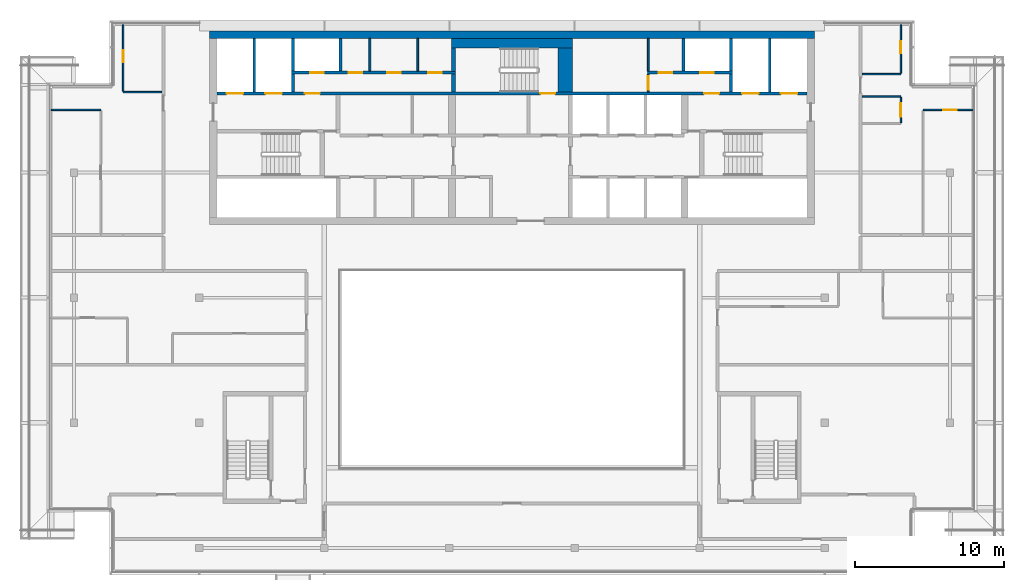
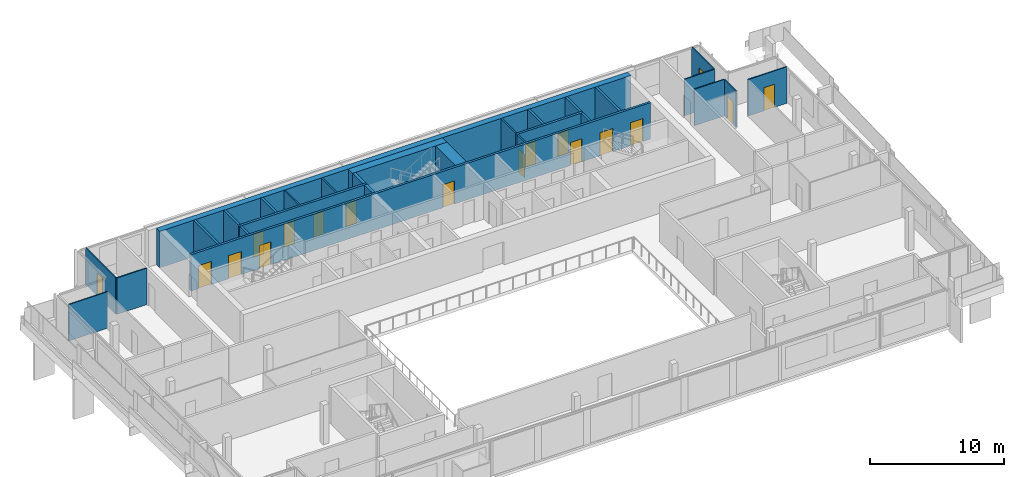
# One storey, part 14 of 19: 28 walls, 18 doors, 18 openings.
"""IFC4 building model written with IfcOpenShell, lengths in metres."""

import ifcopenshell
import ifcopenshell.guid

model = None  # the IFC model being written
_history = None  # IfcOwnerHistory: only IFC2X3 demands one
_inside = {}  # id of a spatial element -> (the spatial element, [elements in it])
_under = {}  # id of a project, library or spatial element -> (it, [spatial elements below it])
_declared = {}  # id of a project -> (the project, [libraries it declares])
_typed = {}  # id of a type object -> (the type object, [elements of that type])
_made_of = {}  # id of a material, layer set ... -> (it, [elements and type objects made of it])


def new_model(schema):
    """Start an empty IFC model of exactly this schema.

    Asked for "IFC4X3", IfcOpenShell would pick the latest addendum, in which some entities
    have other attributes; the version numbers below select the first issue.
    IFC2X3 requires an IfcOwnerHistory on every rooted entity: one is made here for all.
    """
    global model, _history
    if schema == "IFC4X3":
        model = ifcopenshell.file(schema_version=(4, 3, 0, 0))
    else:
        model = ifcopenshell.file(schema=schema)
    _inside.clear()
    _under.clear()
    _declared.clear()
    _typed.clear()
    _made_of.clear()
    _history = None
    if model.schema == "IFC2X3":
        org = make("IfcOrganization", Name="unknown")
        user = make(
            "IfcPersonAndOrganization",
            ThePerson=make("IfcPerson", FamilyName="unknown"),
            TheOrganization=org,
        )
        app = make(
            "IfcApplication",
            ApplicationDeveloper=org,
            Version="unknown",
            ApplicationFullName="unknown",
            ApplicationIdentifier="unknown",
        )
        _history = make(
            "IfcOwnerHistory",
            OwningUser=user,
            OwningApplication=app,
            ChangeAction="ADDED",
            CreationDate=0,
        )
    return model


def make(cls, **values):
    """One entity of the class cls with the attributes given. An attribute that is None is left unset."""
    return model.create_entity(
        cls, **{name: value for name, value in values.items() if value is not None}
    )


def rooted(cls, **values):
    """An entity with a GlobalId (a new one), such as an element, a storey or a relation."""
    return make(cls, GlobalId=ifcopenshell.guid.new(), OwnerHistory=_history, **values)


def si_unit(unit_type, name, prefix=None):
    """IfcSIUnit, for example si_unit("LENGTHUNIT", "METRE", prefix="MILLI")."""
    return make("IfcSIUnit", UnitType=unit_type, Prefix=prefix, Name=name)


def assignment(units):
    """IfcUnitAssignment: the units of a project."""
    return None if units is None else make("IfcUnitAssignment", Units=units)


def point(xyz):
    """IfcCartesianPoint."""
    return None if xyz is None else make("IfcCartesianPoint", Coordinates=xyz)


def direction(xyz):
    """IfcDirection."""
    return None if xyz is None else make("IfcDirection", DirectionRatios=xyz)


def frame(location, z_axis=None, x_axis=None):
    """IfcAxis2Placement3D, a coordinate frame: its origin and axes. An axis left out is left unset."""
    return make(
        "IfcAxis2Placement3D",
        Location=point(location),
        Axis=direction(z_axis),
        RefDirection=direction(x_axis),
    )


def frame_2d(location, x_axis=None):
    """IfcAxis2Placement2D, a coordinate frame in the plane: its origin and x axis."""
    return make(
        "IfcAxis2Placement2D", Location=point(location), RefDirection=direction(x_axis)
    )


def origin():
    """The frame at (0, 0, 0) with its axes left unset."""
    return frame((0.0, 0.0, 0.0))


def place(relative_to, where):
    """IfcLocalPlacement: puts the frame where relative to a parent placement (None: the world)."""
    return make(
        "IfcLocalPlacement", PlacementRelTo=relative_to, RelativePlacement=where
    )


def context(
    kind, dimensions, precision=None, world=None, true_north=None, identifier=None
):
    """IfcGeometricRepresentationContext, for example the 3D "Model" context."""
    return make(
        "IfcGeometricRepresentationContext",
        ContextIdentifier=identifier,
        ContextType=kind,
        CoordinateSpaceDimension=dimensions,
        Precision=precision,
        WorldCoordinateSystem=world,
        TrueNorth=true_north,
    )


def subcontext(parent, identifier, kind, view, scale=None):
    """IfcGeometricRepresentationSubContext, for example "Body" below "Model"."""
    return make(
        "IfcGeometricRepresentationSubContext",
        ContextIdentifier=identifier,
        ContextType=kind,
        ParentContext=parent,
        TargetScale=scale,
        TargetView=view,
    )


def project(units=None, contexts=None):
    """IfcProject with its units and contexts."""
    return rooted(
        "IfcProject",
        Name="project",
        RepresentationContexts=contexts,
        UnitsInContext=assignment(units),
    )


def spatial(cls, under=None, at=None, **own):
    """A site, building, storey or space (cls), placed at a placement, below another one or the project."""
    s = rooted(cls, ObjectPlacement=at, **own)
    if under is not None:
        _under.setdefault(under.id(), (under, []))[1].append(s)
    return s


def profile(cls, at=None, kind="AREA", **sizes):
    """A parametric profile (cls). Its sizes go by their IFC names, for example OverallWidth=200.0."""
    return make(cls, ProfileType=kind, Position=at, **sizes)


def rectangle(**sizes):
    """IfcRectangleProfileDef."""
    return profile("IfcRectangleProfileDef", **sizes)


def extrude(swept, where, along, depth):
    """IfcExtrudedAreaSolid: the profile swept, set in the frame where, extruded along a direction by depth."""
    return make(
        "IfcExtrudedAreaSolid",
        SweptArea=swept,
        Position=where,
        ExtrudedDirection=direction(along),
        Depth=depth,
    )


def shape(context_of_items, identifier, shape_type, items):
    """IfcShapeRepresentation: the items that make up one representation, for example the "Body"."""
    return make(
        "IfcShapeRepresentation",
        ContextOfItems=context_of_items,
        RepresentationIdentifier=identifier,
        RepresentationType=shape_type,
        Items=items,
    )


def material(Name=None, Category=None):
    """IfcMaterial."""
    return make("IfcMaterial", Name=Name, Category=Category)


def layer(
    of_material, thickness, ventilated=None, Name=None, Category=None, Priority=None
):
    """IfcMaterialLayer: one layer of a wall or slab, of a material (None: an air gap)."""
    return make(
        "IfcMaterialLayer",
        Material=of_material,
        LayerThickness=thickness,
        IsVentilated=ventilated,
        Name=Name,
        Category=Category,
        Priority=Priority,
    )


def layer_set(layers, Name=None):
    """IfcMaterialLayerSet."""
    return make("IfcMaterialLayerSet", MaterialLayers=layers, LayerSetName=Name)


def made_of(thing, what):
    """Note that an element or type object is made of a material, layer set ...; save() writes the relation."""
    if what is not None:
        _made_of.setdefault(what.id(), (what, []))[1].append(thing)
    return thing


def type_object(cls, material=None, **own):
    """A type object (cls), such as IfcWallType, which elements share."""
    return made_of(rooted(cls, **own), material)


def element(
    cls,
    number,
    at=None,
    inside=None,
    cuts=None,
    type_object=None,
    material=None,
    context=None,
    identifier="Body",
    shape_type=None,
    held_by="IfcProductDefinitionShape",
    body=None,
    shapes=None,
    **own,
):
    """One element of the class cls, such as IfcWall. Its Tag is "e" and its number.

    at: its placement. inside: the storey or other place that contains it. cuts: it is an
    opening in that element (IfcRelVoidsElement). A single representation is given by context,
    identifier, shape_type and body (its items); several are given by shapes. held_by: the class
    of the entity that holds the representations. save() writes the other relations.
    """
    e = rooted(cls, Tag="e%d" % number, ObjectPlacement=at, **own)
    if body is not None:
        shapes = [shape(context, identifier, shape_type, body)]
    if shapes is not None:
        e.Representation = make(held_by, Representations=shapes)
    if inside is not None:
        _inside.setdefault(inside.id(), (inside, []))[1].append(e)
    if cuts is not None:
        rooted(
            "IfcRelVoidsElement", RelatingBuildingElement=cuts, RelatedOpeningElement=e
        )
    if type_object is not None:
        _typed.setdefault(type_object.id(), (type_object, []))[1].append(e)
    return made_of(e, material)


def fill(opening, filler):
    """IfcRelFillsElement: the door or window that sits in an opening."""
    return rooted(
        "IfcRelFillsElement",
        RelatingOpeningElement=opening,
        RelatedBuildingElement=filler,
    )


def aggregate(whole, parts):
    """IfcRelAggregates: a whole, such as a stair, and the parts it consists of."""
    return rooted("IfcRelAggregates", RelatingObject=whole, RelatedObjects=parts)


def save(model, path):
    """Write the relations noted so far, then the file.

    IfcRelAggregates (storeys below a building ...), IfcRelContainedInSpatialStructure (elements
    in a storey), IfcRelDefinesByType, IfcRelAssociatesMaterial and IfcRelDeclares: one each for
    every whole, place, type object, material and project.
    """
    for whole, parts in _under.values():
        aggregate(whole, parts)
    for where, things in _inside.values():
        rooted(
            "IfcRelContainedInSpatialStructure",
            RelatedElements=things,
            RelatingStructure=where,
        )
    for kind, things in _typed.values():
        rooted("IfcRelDefinesByType", RelatedObjects=things, RelatingType=kind)
    for what, things in _made_of.values():
        rooted("IfcRelAssociatesMaterial", RelatedObjects=things, RelatingMaterial=what)
    for by, libraries in _declared.values():
        rooted("IfcRelDeclares", RelatingContext=by, RelatedDefinitions=libraries)
    model.write(path)


model = new_model("IFC4")

# Units and contexts
model_context = context("Model", 3, precision=1e-05, world=origin(), true_north=direction((0.0, 1.0)))
body_context = subcontext(model_context, "Body", "Model", "MODEL_VIEW")
ifc_project = project(units=[si_unit("LENGTHUNIT", "METRE"), si_unit("AREAUNIT", "SQUARE_METRE"), si_unit("VOLUMEUNIT", "CUBIC_METRE"), si_unit("PLANEANGLEUNIT", "RADIAN"), si_unit("MASSUNIT", "GRAM", prefix="KILO")], contexts=[model_context])

# Site, building, storey
site_placement = place(None, origin())
site = spatial("IfcSite", under=ifc_project, at=site_placement, CompositionType="ELEMENT")
building_placement = place(site_placement, origin())
building = spatial("IfcBuilding", under=site, at=building_placement, Name="Saffron Gate Tower", CompositionType="ELEMENT")
storey_placement = place(building_placement, frame((0.0, 0.0, 292.35009765625)))
storey = spatial("IfcBuildingStorey", under=building, at=storey_placement, Name="L71", CompositionType="ELEMENT", Elevation=292.35009765625)

# Walls
ifc_material_1 = material(Name="Concrete C50", Category="concrete")
ifc_layer_1 = layer(ifc_material_1, 0.5)
ifc_layer_set_1 = layer_set([ifc_layer_1], Name="CW22 RC core wall 500 C50")
wall_type_1 = type_object("IfcWallType", Name="CW22 RC core wall 500 C50", PredefinedType="SOLIDWALL", material=ifc_layer_set_1)
wall_1_placement = place(storey_placement, frame((67.300048828125, 74.64990234375, 0.0), z_axis=(0.0, 0.0, 1.0), x_axis=(1.0, 0.0, 0.0)))
element("IfcWall", 1, at=wall_1_placement, inside=storey, type_object=wall_type_1, Name="Wall CW22-L71-2", PredefinedType="SOLIDWALL", context=body_context, shape_type="SweptSolid", body=[
    extrude(rectangle(XDim=40.599853515625, YDim=0.5, at=frame_2d((20.2998046875, 0.0))), origin(), (0.0, 0.0, 1.0), 3.31982421875),
])
ifc_layer_2 = layer(ifc_material_1, 0.25)
ifc_layer_set_2 = layer_set([ifc_layer_2], Name="CW23 RC core wall 250 C50")
wall_type_2 = type_object("IfcWallType", Name="CW23 RC core wall 250 C50", PredefinedType="SOLIDWALL", material=ifc_layer_set_2)
wall_2_placement = place(storey_placement, frame((83.675048828125, 70.800048828125, 0.0), z_axis=(0.0, 0.0, 1.0), x_axis=(0.0, 1.0, 0.0)))
element("IfcWall", 2, at=wall_2_placement, inside=storey, type_object=wall_type_2, Name="Wall CW23-L71-35", PredefinedType="SOLIDWALL", context=body_context, shape_type="SweptSolid", body=[
    extrude(rectangle(XDim=1.199951171875, YDim=0.25, at=frame_2d((0.60009765625, 0.0))), origin(), (0.0, 0.0, 1.0), 3.31982421875),
])
wall_3_placement = place(storey_placement, frame((83.675048828125, 72.199951171875, 0.0), z_axis=(0.0, 0.0, 1.0), x_axis=(0.0, 1.0, 0.0)))
element("IfcWall", 3, at=wall_3_placement, inside=storey, type_object=wall_type_2, Name="Wall CW23-L71-46", PredefinedType="SOLIDWALL", context=body_context, shape_type="SweptSolid", body=[
    extrude(rectangle(XDim=1.550048828125, YDim=0.25, at=frame_2d((0.77490234375, 0.0))), origin(), (0.0, 0.0, 1.0), 3.31982421875),
])

# Wall, openings, doors
ifc_layer_3 = layer(ifc_material_1, 0.199951171875)
ifc_layer_set_3 = layer_set([ifc_layer_3], Name="CW25 RC core wall 200 C50")
wall_type_3 = type_object("IfcWallType", Name="CW25 RC core wall 200 C50", PredefinedType="SOLIDWALL", material=ifc_layer_set_3)
wall_4_placement = place(storey_placement, frame((67.800048828125, 70.699951171875, 0.0), z_axis=(0.0, 0.0, 1.0), x_axis=(1.0, 0.0, 0.0)))
wall_4 = element("IfcWall", 4, at=wall_4_placement, inside=storey, type_object=wall_type_3, Name="Wall CW25-L71-32", PredefinedType="SOLIDWALL", context=body_context, shape_type="SweptSolid", body=[
    extrude(rectangle(XDim=39.599853515625, YDim=0.199951171875, at=frame_2d((19.7998046875, 0.0))), origin(), (0.0, 0.0, 1.0), 3.31982421875),
])
opening_1_placement = place(wall_4_placement, frame((0.64990234375, 0.0, 0.0)))
opening_1 = element("IfcOpeningElement", 5, at=opening_1_placement, cuts=wall_4, Name="Opening LD-FF1", PredefinedType="OPENING", context=body_context, shape_type="SweptSolid", body=[
    extrude(rectangle(XDim=1.10009765625, YDim=2.10009765625, at=frame_2d((0.550048828125, 1.050048828125))), frame((0.0, 0.10986328125, 0.0), z_axis=(0.0, -1.0, 0.0), x_axis=(1.0, 0.0, 0.0)), (0.0, 0.0, 1.0), 0.219970703125),
])
opening_2_placement = place(wall_4_placement, frame((3.25, 0.0, 0.0)))
opening_2 = element("IfcOpeningElement", 6, at=opening_2_placement, cuts=wall_4, Name="Opening LD-SV1", PredefinedType="OPENING", context=body_context, shape_type="SweptSolid", body=[
    extrude(rectangle(XDim=1.10009765625, YDim=2.10009765625, at=frame_2d((0.550048828125, 1.050048828125))), frame((0.0, 0.10986328125, 0.0), z_axis=(0.0, -1.0, 0.0), x_axis=(1.0, 0.0, 0.0)), (0.0, 0.0, 1.0), 0.219970703125),
])
opening_3_placement = place(wall_4_placement, frame((5.89990234375, 0.0, 0.0)))
opening_3 = element("IfcOpeningElement", 7, at=opening_3_placement, cuts=wall_4, Name="Opening CR-03", PredefinedType="OPENING", context=body_context, shape_type="SweptSolid", body=[
    extrude(rectangle(XDim=1.0, YDim=2.10009765625, at=frame_2d((0.5, 1.050048828125))), frame((0.0, 0.10986328125, 0.0), z_axis=(0.0, -1.0, 0.0), x_axis=(1.0, 0.0, 0.0)), (0.0, 0.0, 1.0), 0.219970703125),
])
opening_4_placement = place(wall_4_placement, frame((21.699951171875, 0.0, 0.0)))
opening_4 = element("IfcOpeningElement", 8, at=opening_4_placement, cuts=wall_4, Name="Opening CR-17", PredefinedType="OPENING", context=body_context, shape_type="SweptSolid", body=[
    extrude(rectangle(XDim=1.0, YDim=2.10009765625, at=frame_2d((0.5, 1.050048828125))), frame((0.0, 0.10986328125, 0.0), z_axis=(0.0, -1.0, 0.0), x_axis=(1.0, 0.0, 0.0)), (0.0, 0.0, 1.0), 0.219970703125),
])
opening_5_placement = place(wall_4_placement, frame((32.699951171875, 0.0, 0.0)))
opening_5 = element("IfcOpeningElement", 9, at=opening_5_placement, cuts=wall_4, Name="Opening CR-04", PredefinedType="OPENING", context=body_context, shape_type="SweptSolid", body=[
    extrude(rectangle(XDim=1.0, YDim=2.10009765625, at=frame_2d((0.5, 1.050048828125))), frame((0.0, 0.10986328125, 0.0), z_axis=(0.0, -1.0, 0.0), x_axis=(1.0, 0.0, 0.0)), (0.0, 0.0, 1.0), 0.219970703125),
])
opening_6_placement = place(wall_4_placement, frame((35.25, 0.0, 0.0)))
opening_6 = element("IfcOpeningElement", 10, at=opening_6_placement, cuts=wall_4, Name="Opening LD-SV2", PredefinedType="OPENING", context=body_context, shape_type="SweptSolid", body=[
    extrude(rectangle(XDim=1.10009765625, YDim=2.10009765625, at=frame_2d((0.550048828125, 1.050048828125))), frame((0.0, 0.10986328125, 0.0), z_axis=(0.0, -1.0, 0.0), x_axis=(1.0, 0.0, 0.0)), (0.0, 0.0, 1.0), 0.219970703125),
])
opening_7_placement = place(wall_4_placement, frame((37.85009765625, 0.0, 0.0)))
opening_7 = element("IfcOpeningElement", 11, at=opening_7_placement, cuts=wall_4, Name="Opening LD-FF2", PredefinedType="OPENING", context=body_context, shape_type="SweptSolid", body=[
    extrude(rectangle(XDim=1.10009765625, YDim=2.10009765625, at=frame_2d((0.550048828125, 1.050048828125))), frame((0.0, 0.10986328125, 0.0), z_axis=(0.0, -1.0, 0.0), x_axis=(1.0, 0.0, 0.0)), (0.0, 0.0, 1.0), 0.219970703125),
])
ifc_material_2 = material(Name="Steel fire door set", Category="steel")
door_type_1 = type_object("IfcDoorType", Name="CD4 Lobby door 1000x2100 EI 120", OperationType="NOTDEFINED", PredefinedType="DOOR", material=ifc_material_2)
door_1_placement = place(opening_3_placement, origin())
door_1 = element("IfcDoor", 12, at=door_1_placement, inside=storey, type_object=door_type_1, Name="DOOR CR-03", OperationType="SINGLE_SWING_LEFT", OverallHeight=2.10009765625, OverallWidth=1.0, PredefinedType="DOOR", context=body_context, shape_type="SweptSolid", body=[
    extrude(rectangle(XDim=1.0, YDim=2.10009765625, at=frame_2d((0.5, 1.050048828125))), frame((0.0, 0.02490234375, 0.0), z_axis=(0.0, -1.0, 0.0), x_axis=(1.0, 0.0, 0.0)), (0.0, 0.0, 1.0), 0.050048828125),
])
fill(opening_3, door_1)
door_2_placement = place(opening_5_placement, origin())
door_2 = element("IfcDoor", 13, at=door_2_placement, inside=storey, type_object=door_type_1, Name="DOOR CR-04", OperationType="SINGLE_SWING_RIGHT", OverallHeight=2.10009765625, OverallWidth=1.0, PredefinedType="DOOR", context=body_context, shape_type="SweptSolid", body=[
    extrude(rectangle(XDim=1.0, YDim=2.10009765625, at=frame_2d((0.5, 1.050048828125))), frame((0.0, 0.02490234375, 0.0), z_axis=(0.0, -1.0, 0.0), x_axis=(1.0, 0.0, 0.0)), (0.0, 0.0, 1.0), 0.050048828125),
])
fill(opening_5, door_2)
door_type_2 = type_object("IfcDoorType", Name="CD5 Stair door 1000x2100 EI 120", OperationType="NOTDEFINED", PredefinedType="DOOR", material=ifc_material_2)
door_3_placement = place(opening_4_placement, origin())
door_3 = element("IfcDoor", 14, at=door_3_placement, inside=storey, type_object=door_type_2, Name="DOOR CR-17", OperationType="SINGLE_SWING_RIGHT", OverallHeight=2.10009765625, OverallWidth=1.0, PredefinedType="DOOR", context=body_context, shape_type="SweptSolid", body=[
    extrude(rectangle(XDim=1.0, YDim=2.10009765625, at=frame_2d((0.5, 1.050048828125))), frame((0.0, 0.02490234375, 0.0), z_axis=(0.0, -1.0, 0.0), x_axis=(1.0, 0.0, 0.0)), (0.0, 0.0, 1.0), 0.050048828125),
])
fill(opening_4, door_3)
ifc_material_3 = material(Name="Stainless steel landing door", Category="steel")
door_type_3 = type_object("IfcDoorType", Name="LD Lift landing door 1100x2100 EI 120", OperationType="SLIDING_TO_LEFT", PredefinedType="DOOR", material=ifc_material_3)
door_4_placement = place(opening_1_placement, origin())
door_4 = element("IfcDoor", 15, at=door_4_placement, inside=storey, type_object=door_type_3, Name="LANDING DOOR LD-FF1", OperationType="SLIDING_TO_RIGHT", OverallHeight=2.10009765625, OverallWidth=1.10009765625, PredefinedType="DOOR", context=body_context, shape_type="SweptSolid", body=[
    extrude(rectangle(XDim=1.10009765625, YDim=2.10009765625, at=frame_2d((0.550048828125, 1.050048828125))), frame((0.0, 0.02490234375, 0.0), z_axis=(0.0, -1.0, 0.0), x_axis=(1.0, 0.0, 0.0)), (0.0, 0.0, 1.0), 0.050048828125),
])
fill(opening_1, door_4)
door_5_placement = place(opening_2_placement, origin())
door_5 = element("IfcDoor", 16, at=door_5_placement, inside=storey, type_object=door_type_3, Name="LANDING DOOR LD-SV1", OperationType="SLIDING_TO_RIGHT", OverallHeight=2.10009765625, OverallWidth=1.10009765625, PredefinedType="DOOR", context=body_context, shape_type="SweptSolid", body=[
    extrude(rectangle(XDim=1.10009765625, YDim=2.10009765625, at=frame_2d((0.550048828125, 1.050048828125))), frame((0.0, 0.02490234375, 0.0), z_axis=(0.0, -1.0, 0.0), x_axis=(1.0, 0.0, 0.0)), (0.0, 0.0, 1.0), 0.050048828125),
])
fill(opening_2, door_5)
door_6_placement = place(opening_6_placement, origin())
door_6 = element("IfcDoor", 17, at=door_6_placement, inside=storey, type_object=door_type_3, Name="LANDING DOOR LD-SV2", OperationType="SLIDING_TO_RIGHT", OverallHeight=2.10009765625, OverallWidth=1.10009765625, PredefinedType="DOOR", context=body_context, shape_type="SweptSolid", body=[
    extrude(rectangle(XDim=1.10009765625, YDim=2.10009765625, at=frame_2d((0.550048828125, 1.050048828125))), frame((0.0, 0.02490234375, 0.0), z_axis=(0.0, -1.0, 0.0), x_axis=(1.0, 0.0, 0.0)), (0.0, 0.0, 1.0), 0.050048828125),
])
fill(opening_6, door_6)
door_7_placement = place(opening_7_placement, origin())
door_7 = element("IfcDoor", 18, at=door_7_placement, inside=storey, type_object=door_type_3, Name="LANDING DOOR LD-FF2", OperationType="SLIDING_TO_RIGHT", OverallHeight=2.10009765625, OverallWidth=1.10009765625, PredefinedType="DOOR", context=body_context, shape_type="SweptSolid", body=[
    extrude(rectangle(XDim=1.10009765625, YDim=2.10009765625, at=frame_2d((0.550048828125, 1.050048828125))), frame((0.0, 0.02490234375, 0.0), z_axis=(0.0, -1.0, 0.0), x_axis=(1.0, 0.0, 0.0)), (0.0, 0.0, 1.0), 0.050048828125),
])
fill(opening_7, door_7)

# Walls
wall_5_placement = place(storey_placement, frame((70.300048828125, 70.800048828125, 0.0), z_axis=(0.0, 0.0, 1.0), x_axis=(0.0, 1.0, 0.0)))
element("IfcWall", 19, at=wall_5_placement, inside=storey, type_object=wall_type_3, Name="Wall CW25-L71-33", PredefinedType="SOLIDWALL", context=body_context, shape_type="SweptSolid", body=[
    extrude(rectangle(XDim=3.599853515625, YDim=0.199951171875, at=frame_2d((1.7998046875, 0.0))), origin(), (0.0, 0.0, 1.0), 3.31982421875),
])
for number, where, z_axis, x_axis, name in (
    (20, (72.89990234375, 70.800048828125, 0.0), (0.0, 0.0, 1.0), (0.0, 1.0, 0.0), "Wall CW25-L71-34"),
    (21, (102.300048828125, 70.800048828125, 0.0), (0.0, 0.0, 1.0), (0.0, 1.0, 0.0), "Wall CW25-L71-38"),
):
    element("IfcWall", number, at=place(storey_placement, frame(where, z_axis=z_axis, x_axis=x_axis)), inside=storey, type_object=wall_type_3, Name=name, PredefinedType="SOLIDWALL", context=body_context, shape_type="SweptSolid", body=[
        extrude(rectangle(XDim=1.199951171875, YDim=0.199951171875, at=frame_2d((0.60009765625, 0.0))), origin(), (0.0, 0.0, 1.0), 3.31982421875),
    ])
wall_6_placement = place(storey_placement, frame((104.89990234375, 70.800048828125, 0.0), z_axis=(0.0, 0.0, 1.0), x_axis=(0.0, 1.0, 0.0)))
element("IfcWall", 22, at=wall_6_placement, inside=storey, type_object=wall_type_3, Name="Wall CW25-L71-39", PredefinedType="SOLIDWALL", context=body_context, shape_type="SweptSolid", body=[
    extrude(rectangle(XDim=3.599853515625, YDim=0.199951171875, at=frame_2d((1.7998046875, 0.0))), origin(), (0.0, 0.0, 1.0), 3.31982421875),
])

# Wall, openings, doors
wall_7_placement = place(storey_placement, frame((72.800048828125, 72.10009765625, 0.0), z_axis=(0.0, 0.0, 1.0), x_axis=(1.0, 0.0, 0.0)))
wall_7 = element("IfcWall", 23, at=wall_7_placement, inside=storey, type_object=wall_type_3, Name="Wall CW25-L71-40", PredefinedType="SOLIDWALL", context=body_context, shape_type="SweptSolid", body=[
    extrude(rectangle(XDim=11.0, YDim=0.199951171875, at=frame_2d((5.5, 0.0))), origin(), (0.0, 0.0, 1.0), 3.31982421875),
])
opening_8_placement = place(wall_7_placement, frame((1.25, 0.0, 0.0)))
opening_8 = element("IfcOpeningElement", 24, at=opening_8_placement, cuts=wall_7, Name="Opening CR-71", PredefinedType="OPENING", context=body_context, shape_type="SweptSolid", body=[
    extrude(rectangle(XDim=0.89990234375, YDim=2.10009765625, at=frame_2d((0.449951171875, 1.050048828125))), frame((0.0, 0.10986328125, 0.0), z_axis=(0.0, -1.0, 0.0), x_axis=(1.0, 0.0, 0.0)), (0.0, 0.0, 1.0), 0.219970703125),
])
opening_9_placement = place(wall_7_placement, frame((3.85009765625, 0.0, 0.0)))
opening_9 = element("IfcOpeningElement", 25, at=opening_9_placement, cuts=wall_7, Name="Opening CR-55", PredefinedType="OPENING", context=body_context, shape_type="SweptSolid", body=[
    extrude(rectangle(XDim=0.89990234375, YDim=2.10009765625, at=frame_2d((0.449951171875, 1.050048828125))), frame((0.0, 0.10986328125, 0.0), z_axis=(0.0, -1.0, 0.0), x_axis=(1.0, 0.0, 0.0)), (0.0, 0.0, 1.0), 0.219970703125),
])
opening_10_placement = place(wall_7_placement, frame((6.419921875, 0.0, 0.0)))
opening_10 = element("IfcOpeningElement", 26, at=opening_10_placement, cuts=wall_7, Name="Opening CR-58", PredefinedType="OPENING", context=body_context, shape_type="SweptSolid", body=[
    extrude(rectangle(XDim=0.89990234375, YDim=2.10009765625, at=frame_2d((0.449951171875, 1.050048828125))), frame((0.0, 0.10986328125, 0.0), z_axis=(0.0, -1.0, 0.0), x_axis=(1.0, 0.0, 0.0)), (0.0, 0.0, 1.0), 0.219970703125),
])
opening_11_placement = place(wall_7_placement, frame((9.195068359375, 0.0, 0.0)))
opening_11 = element("IfcOpeningElement", 27, at=opening_11_placement, cuts=wall_7, Name="Opening CR-59", PredefinedType="OPENING", context=body_context, shape_type="SweptSolid", body=[
    extrude(rectangle(XDim=0.89990234375, YDim=2.10009765625, at=frame_2d((0.449951171875, 1.050048828125))), frame((0.0, 0.10986328125, 0.0), z_axis=(0.0, -1.0, 0.0), x_axis=(1.0, 0.0, 0.0)), (0.0, 0.0, 1.0), 0.219970703125),
])
door_type_4 = type_object("IfcDoorType", Name="CD2 Riser door 900x2100 EI 60", OperationType="NOTDEFINED", PredefinedType="DOOR", material=ifc_material_2)
door_8_placement = place(opening_8_placement, origin())
door_8 = element("IfcDoor", 28, at=door_8_placement, inside=storey, type_object=door_type_4, Name="DOOR CR-71", OperationType="SINGLE_SWING_LEFT", OverallHeight=2.10009765625, OverallWidth=0.89990234375, PredefinedType="DOOR", context=body_context, shape_type="SweptSolid", body=[
    extrude(rectangle(XDim=0.89990234375, YDim=2.10009765625, at=frame_2d((0.449951171875, 1.050048828125))), frame((0.0, 0.02490234375, 0.0), z_axis=(0.0, -1.0, 0.0), x_axis=(1.0, 0.0, 0.0)), (0.0, 0.0, 1.0), 0.050048828125),
])
fill(opening_8, door_8)
door_type_5 = type_object("IfcDoorType", Name="CD9 Room door 900x2100 EI 60", OperationType="NOTDEFINED", PredefinedType="DOOR", material=ifc_material_2)
door_9_placement = place(opening_9_placement, origin())
door_9 = element("IfcDoor", 29, at=door_9_placement, inside=storey, type_object=door_type_5, Name="DOOR CR-55", OperationType="SINGLE_SWING_LEFT", OverallHeight=2.10009765625, OverallWidth=0.89990234375, PredefinedType="DOOR", context=body_context, shape_type="SweptSolid", body=[
    extrude(rectangle(XDim=0.89990234375, YDim=2.10009765625, at=frame_2d((0.449951171875, 1.050048828125))), frame((0.0, 0.02490234375, 0.0), z_axis=(0.0, -1.0, 0.0), x_axis=(1.0, 0.0, 0.0)), (0.0, 0.0, 1.0), 0.050048828125),
])
fill(opening_9, door_9)
door_10_placement = place(opening_10_placement, origin())
door_10 = element("IfcDoor", 30, at=door_10_placement, inside=storey, type_object=door_type_5, Name="DOOR CR-58", OperationType="SINGLE_SWING_LEFT", OverallHeight=2.10009765625, OverallWidth=0.89990234375, PredefinedType="DOOR", context=body_context, shape_type="SweptSolid", body=[
    extrude(rectangle(XDim=0.89990234375, YDim=2.10009765625, at=frame_2d((0.449951171875, 1.050048828125))), frame((0.0, 0.02490234375, 0.0), z_axis=(0.0, -1.0, 0.0), x_axis=(1.0, 0.0, 0.0)), (0.0, 0.0, 1.0), 0.050048828125),
])
fill(opening_10, door_10)
door_11_placement = place(opening_11_placement, origin())
door_11 = element("IfcDoor", 31, at=door_11_placement, inside=storey, type_object=door_type_5, Name="DOOR CR-59", OperationType="SINGLE_SWING_LEFT", OverallHeight=2.10009765625, OverallWidth=0.89990234375, PredefinedType="DOOR", context=body_context, shape_type="SweptSolid", body=[
    extrude(rectangle(XDim=0.89990234375, YDim=2.10009765625, at=frame_2d((0.449951171875, 1.050048828125))), frame((0.0, 0.02490234375, 0.0), z_axis=(0.0, -1.0, 0.0), x_axis=(1.0, 0.0, 0.0)), (0.0, 0.0, 1.0), 0.050048828125),
])
fill(opening_11, door_11)

wall_8_placement = place(storey_placement, frame((96.679931640625, 72.10009765625, 0.0), z_axis=(0.0, 0.0, 1.0), x_axis=(1.0, 0.0, 0.0)))
wall_8 = element("IfcWall", 32, at=wall_8_placement, inside=storey, type_object=wall_type_3, Name="Wall CW25-L71-41", PredefinedType="SOLIDWALL", context=body_context, shape_type="SweptSolid", body=[
    extrude(rectangle(XDim=5.719970703125, YDim=0.199951171875, at=frame_2d((2.85986328125, 0.0))), origin(), (0.0, 0.0, 1.0), 3.31982421875),
])
opening_12_placement = place(wall_8_placement, frame((0.77001953125, 0.0, 0.0)))
opening_12 = element("IfcOpeningElement", 33, at=opening_12_placement, cuts=wall_8, Name="Opening CR-50", PredefinedType="OPENING", context=body_context, shape_type="SweptSolid", body=[
    extrude(rectangle(XDim=0.89990234375, YDim=2.10009765625, at=frame_2d((0.449951171875, 1.050048828125))), frame((0.0, 0.10986328125, 0.0), z_axis=(0.0, -1.0, 0.0), x_axis=(1.0, 0.0, 0.0)), (0.0, 0.0, 1.0), 0.219970703125),
])
opening_13_placement = place(wall_8_placement, frame((3.570068359375, 0.0, 0.0)))
opening_13 = element("IfcOpeningElement", 34, at=opening_13_placement, cuts=wall_8, Name="Opening CR-70", PredefinedType="OPENING", context=body_context, shape_type="SweptSolid", body=[
    extrude(rectangle(XDim=0.89990234375, YDim=2.10009765625, at=frame_2d((0.449951171875, 1.050048828125))), frame((0.0, 0.10986328125, 0.0), z_axis=(0.0, -1.0, 0.0), x_axis=(1.0, 0.0, 0.0)), (0.0, 0.0, 1.0), 0.219970703125),
])
door_12_placement = place(opening_13_placement, origin())
door_12 = element("IfcDoor", 35, at=door_12_placement, inside=storey, type_object=door_type_4, Name="DOOR CR-70", OperationType="SINGLE_SWING_LEFT", OverallHeight=2.10009765625, OverallWidth=0.89990234375, PredefinedType="DOOR", context=body_context, shape_type="SweptSolid", body=[
    extrude(rectangle(XDim=0.89990234375, YDim=2.10009765625, at=frame_2d((0.449951171875, 1.050048828125))), frame((0.0, 0.02490234375, 0.0), z_axis=(0.0, -1.0, 0.0), x_axis=(1.0, 0.0, 0.0)), (0.0, 0.0, 1.0), 0.050048828125),
])
fill(opening_13, door_12)
door_13_placement = place(opening_12_placement, origin())
door_13 = element("IfcDoor", 36, at=door_13_placement, inside=storey, type_object=door_type_5, Name="DOOR CR-50", OperationType="SINGLE_SWING_LEFT", OverallHeight=2.10009765625, OverallWidth=0.89990234375, PredefinedType="DOOR", context=body_context, shape_type="SweptSolid", body=[
    extrude(rectangle(XDim=0.89990234375, YDim=2.10009765625, at=frame_2d((0.449951171875, 1.050048828125))), frame((0.0, 0.02490234375, 0.0), z_axis=(0.0, -1.0, 0.0), x_axis=(1.0, 0.0, 0.0)), (0.0, 0.0, 1.0), 0.050048828125),
])
fill(opening_12, door_13)

# Walls
for number, where, z_axis, x_axis, name in (
    (37, (72.89990234375, 72.199951171875, 0.0), (0.0, 0.0, 1.0), (0.0, 1.0, 0.0), "Wall CW25-L71-42"),
    (38, (76.10009765625, 72.199951171875, 0.0), (0.0, 0.0, 1.0), (0.0, 1.0, 0.0), "Wall CW25-L71-43"),
    (39, (99.10009765625, 72.199951171875, 0.0), (0.0, 0.0, 1.0), (0.0, 1.0, 0.0), "Wall CW25-L71-48"),
    (40, (102.300048828125, 72.199951171875, 0.0), (0.0, 0.0, 1.0), (0.0, 1.0, 0.0), "Wall CW25-L71-49"),
):
    element("IfcWall", number, at=place(storey_placement, frame(where, z_axis=z_axis, x_axis=x_axis)), inside=storey, type_object=wall_type_3, Name=name, PredefinedType="SOLIDWALL", context=body_context, shape_type="SweptSolid", body=[
        extrude(rectangle(XDim=2.199951171875, YDim=0.199951171875, at=frame_2d((1.10009765625, 0.0))), origin(), (0.0, 0.0, 1.0), 3.31982421875),
    ])
ifc_layer_4 = layer(ifc_material_1, 0.949951171875)
ifc_layer_set_4 = layer_set([ifc_layer_4], Name="CW28 RC core wall 950 C50")
wall_type_4 = type_object("IfcWallType", Name="CW28 RC core wall 950 C50", PredefinedType="SOLIDWALL", material=ifc_layer_set_4)
wall_9_placement = place(storey_placement, frame((91.175048828125, 70.800048828125, 0.0), z_axis=(0.0, 0.0, 1.0), x_axis=(0.0, 1.0, 0.0)))
element("IfcWall", 41, at=wall_9_placement, inside=storey, type_object=wall_type_4, Name="Wall CW28-L71-36", PredefinedType="SOLIDWALL", context=body_context, shape_type="SweptSolid", body=[
    extrude(rectangle(XDim=2.949951171875, YDim=0.949951171875, at=frame_2d((1.47509765625, 0.0))), origin(), (0.0, 0.0, 1.0), 3.31982421875),
])
ifc_layer_5 = layer(ifc_material_1, 0.64990234375)
ifc_layer_set_5 = layer_set([ifc_layer_5], Name="CW29 RC core wall 650 C50")
wall_type_5 = type_object("IfcWallType", Name="CW29 RC core wall 650 C50", PredefinedType="SOLIDWALL", material=ifc_layer_set_5)
wall_10_placement = place(storey_placement, frame((83.550048828125, 74.074951171875, 0.0), z_axis=(0.0, 0.0, 1.0), x_axis=(1.0, 0.0, 0.0)))
element("IfcWall", 42, at=wall_10_placement, inside=storey, type_object=wall_type_5, Name="Wall CW29-L71-50", PredefinedType="SOLIDWALL", context=body_context, shape_type="SweptSolid", body=[
    extrude(rectangle(XDim=8.099853515625, YDim=0.64990234375, at=frame_2d((4.0498046875, 0.0))), origin(), (0.0, 0.0, 1.0), 3.31982421875),
])

# Wall, opening, door
ifc_material_4 = material(Name="Gypsum board partition on steel studs", Category="steel")
ifc_layer_6 = layer(ifc_material_4, 0.1201171875)
ifc_layer_set_6 = layer_set([ifc_layer_6], Name="CW8 Core partition 120")
wall_type_6 = type_object("IfcWallType", Name="CW8 Core partition 120", PredefinedType="PARTITIONING", material=ifc_layer_set_6)
wall_11_placement = place(storey_placement, frame((96.739990234375, 70.800048828125, 0.0), z_axis=(0.0, 0.0, 1.0), x_axis=(0.0, 1.0, 0.0)))
wall_11 = element("IfcWall", 43, at=wall_11_placement, inside=storey, type_object=wall_type_6, Name="Wall CW8-L71-37", PredefinedType="PARTITIONING", context=body_context, shape_type="SweptSolid", body=[
    extrude(rectangle(XDim=1.199951171875, YDim=0.1201171875, at=frame_2d((0.60009765625, 0.0))), origin(), (0.0, 0.0, 1.0), 3.31982421875),
])
opening_14_placement = place(wall_11_placement, frame((0.14990234375, 0.0, 0.0)))
opening_14 = element("IfcOpeningElement", 44, at=opening_14_placement, cuts=wall_11, Name="Opening CR-54", PredefinedType="OPENING", context=body_context, shape_type="SweptSolid", body=[
    extrude(rectangle(XDim=0.89990234375, YDim=2.10009765625, at=frame_2d((0.449951171875, 1.050048828125))), frame((0.0, 0.070068359375, 0.0), z_axis=(0.0, -1.0, 0.0), x_axis=(1.0, 0.0, 0.0)), (0.0, 0.0, 1.0), 0.14013671875),
])
door_14_placement = place(opening_14_placement, origin())
door_14 = element("IfcDoor", 45, at=door_14_placement, inside=storey, type_object=door_type_5, Name="DOOR CR-54", OperationType="SINGLE_SWING_LEFT", OverallHeight=2.10009765625, OverallWidth=0.89990234375, PredefinedType="DOOR", context=body_context, shape_type="SweptSolid", body=[
    extrude(rectangle(XDim=0.89990234375, YDim=2.10009765625, at=frame_2d((0.449951171875, 1.050048828125))), frame((0.0, 0.02490234375, 0.0), z_axis=(0.0, -1.0, 0.0), x_axis=(1.0, 0.0, 0.0)), (0.0, 0.0, 1.0), 0.050048828125),
])
fill(opening_14, door_14)

# Walls
for number, where, z_axis, x_axis, name in (
    (46, (78.06005859375, 72.199951171875, 0.0), (0.0, 0.0, 1.0), (0.0, 1.0, 0.0), "Wall CW8-L71-44"),
    (47, (81.280029296875, 72.199951171875, 0.0), (0.0, 0.0, 1.0), (0.0, 1.0, 0.0), "Wall CW8-L71-45"),
    (48, (96.739990234375, 72.199951171875, 0.0), (0.0, 0.0, 1.0), (0.0, 1.0, 0.0), "Wall CW8-L71-47"),
):
    element("IfcWall", number, at=place(storey_placement, frame(where, z_axis=z_axis, x_axis=x_axis)), inside=storey, type_object=wall_type_6, Name=name, PredefinedType="PARTITIONING", context=body_context, shape_type="SweptSolid", body=[
        extrude(rectangle(XDim=2.199951171875, YDim=0.1201171875, at=frame_2d((1.10009765625, 0.0))), origin(), (0.0, 0.0, 1.0), 3.31982421875),
    ])
ifc_material_5 = material(Name="Plasterboard on steel studs", Category="steel")
ifc_layer_7 = layer(ifc_material_5, 0.10009765625)
ifc_layer_set_7 = layer_set([ifc_layer_7], Name="PW1 Partition 100")
wall_type_7 = type_object("IfcWallType", Name="PW1 Partition 100", PredefinedType="PARTITIONING", material=ifc_layer_set_7)
wall_12_placement = place(storey_placement, frame((56.679931640625, 69.60009765625, 0.0), z_axis=(0.0, 0.0, 1.0), x_axis=(1.0, 0.0, 0.0)))
element("IfcWall", 49, at=wall_12_placement, inside=storey, type_object=wall_type_7, Name="Partition E5-24", PredefinedType="PARTITIONING", context=body_context, shape_type="SweptSolid", body=[
    extrude(rectangle(XDim=3.320068359375, YDim=0.10009765625, at=frame_2d((1.66015625, 0.0))), origin(), (0.0, 0.0, 1.0), 3.31982421875),
])

# Wall, opening, door
wall_13_placement = place(storey_placement, frame((118.52001953125, 69.60009765625, 0.0), z_axis=(0.0, 0.0, 1.0), x_axis=(-1.0, 0.0, 0.0)))
wall_13 = element("IfcWall", 50, at=wall_13_placement, inside=storey, type_object=wall_type_7, Name="Partition E5-25", PredefinedType="PARTITIONING", context=body_context, shape_type="SweptSolid", body=[
    extrude(rectangle(XDim=3.320068359375, YDim=0.10009765625, at=frame_2d((1.66015625, 0.0))), origin(), (0.0, 0.0, 1.0), 3.31982421875),
])
opening_15_placement = place(wall_13_placement, frame((1.070068359375, 0.0, 0.0)))
opening_15 = element("IfcOpeningElement", 51, at=opening_15_placement, cuts=wall_13, Name="Opening E5-8", PredefinedType="OPENING", context=body_context, shape_type="SweptSolid", body=[
    extrude(rectangle(XDim=0.89990234375, YDim=2.10009765625, at=frame_2d((0.449951171875, 1.050048828125))), frame((0.0, 0.06005859375, 0.0), z_axis=(0.0, -1.0, 0.0), x_axis=(1.0, 0.0, 0.0)), (0.0, 0.0, 1.0), 0.1201171875),
])
ifc_material_6 = material(Name="Timber door set", Category="wood")
door_type_6 = type_object("IfcDoorType", Name="RD1 Room door 900x2100", OperationType="NOTDEFINED", PredefinedType="DOOR", material=ifc_material_6)
door_15_placement = place(opening_15_placement, origin())
door_15 = element("IfcDoor", 52, at=door_15_placement, inside=storey, type_object=door_type_6, Name="Door E5-8", OperationType="SINGLE_SWING_LEFT", OverallHeight=2.10009765625, OverallWidth=0.89990234375, PredefinedType="DOOR", context=body_context, shape_type="SweptSolid", body=[
    extrude(rectangle(XDim=0.89990234375, YDim=2.10009765625, at=frame_2d((0.449951171875, 1.050048828125))), frame((0.0, 0.02490234375, 0.0), z_axis=(0.0, -1.0, 0.0), x_axis=(1.0, 0.0, 0.0)), (0.0, 0.0, 1.0), 0.050048828125),
])
fill(opening_15, door_15)

# Walls
wall_14_placement = place(storey_placement, frame((111.10009765625, 70.5, 0.0), z_axis=(0.0, 0.0, 1.0), x_axis=(1.0, 0.0, 0.0)))
element("IfcWall", 53, at=wall_14_placement, inside=storey, type_object=wall_type_7, Name="Partition E5-26", PredefinedType="PARTITIONING", context=body_context, shape_type="SweptSolid", body=[
    extrude(rectangle(XDim=2.599853515625, YDim=0.10009765625, at=frame_2d((1.2998046875, 0.0))), origin(), (0.0, 0.0, 1.0), 3.31982421875),
])
wall_15_placement = place(storey_placement, frame((61.5, 70.800048828125, 0.0), z_axis=(0.0, 0.0, 1.0), x_axis=(1.0, 0.0, 0.0)))
element("IfcWall", 54, at=wall_15_placement, inside=storey, type_object=wall_type_7, Name="Partition E5-27", PredefinedType="PARTITIONING", context=body_context, shape_type="SweptSolid", body=[
    extrude(rectangle(XDim=2.60009765625, YDim=0.10009765625, at=frame_2d((1.300048828125, 0.0))), origin(), (0.0, 0.0, 1.0), 3.31982421875),
])
wall_16_placement = place(storey_placement, frame((111.10009765625, 72.0, 0.0), z_axis=(0.0, 0.0, 1.0), x_axis=(1.0, 0.0, 0.0)))
element("IfcWall", 55, at=wall_16_placement, inside=storey, type_object=wall_type_7, Name="Partition E5-28", PredefinedType="PARTITIONING", context=body_context, shape_type="SweptSolid", body=[
    extrude(rectangle(XDim=2.599853515625, YDim=0.10009765625, at=frame_2d((1.2998046875, 0.0))), origin(), (0.0, 0.0, 1.0), 3.31982421875),
])

# Wall, opening, door
wall_17_placement = place(storey_placement, frame((61.5, 75.320068359375, 0.0), z_axis=(0.0, 0.0, 1.0), x_axis=(0.0, -1.0, 0.0)))
wall_17 = element("IfcWall", 56, at=wall_17_placement, inside=storey, type_object=wall_type_7, Name="Partition E5-31", PredefinedType="PARTITIONING", context=body_context, shape_type="SweptSolid", body=[
    extrude(rectangle(XDim=4.469970703125, YDim=0.10009765625, at=frame_2d((2.23486328125, 0.0))), origin(), (0.0, 0.0, 1.0), 3.31982421875),
])
opening_16_placement = place(wall_17_placement, frame((1.719970703125, 0.0, 0.0)))
opening_16 = element("IfcOpeningElement", 57, at=opening_16_placement, cuts=wall_17, Name="Opening E5-11", PredefinedType="OPENING", context=body_context, shape_type="SweptSolid", body=[
    extrude(rectangle(XDim=0.800048828125, YDim=2.10009765625, at=frame_2d((0.39990234375, 1.050048828125))), frame((0.0, 0.06005859375, 0.0), z_axis=(0.0, -1.0, 0.0), x_axis=(1.0, 0.0, 0.0)), (0.0, 0.0, 1.0), 0.1201171875),
])
door_type_7 = type_object("IfcDoorType", Name="RD2 Bathroom door 800x2100", OperationType="NOTDEFINED", PredefinedType="DOOR", material=ifc_material_6)
door_16_placement = place(opening_16_placement, origin())
door_16 = element("IfcDoor", 58, at=door_16_placement, inside=storey, type_object=door_type_7, Name="Door E5-11", OperationType="SINGLE_SWING_LEFT", OverallHeight=2.10009765625, OverallWidth=0.800048828125, PredefinedType="DOOR", context=body_context, shape_type="SweptSolid", body=[
    extrude(rectangle(XDim=0.800048828125, YDim=2.10009765625, at=frame_2d((0.39990234375, 1.050048828125))), frame((0.0, 0.02490234375, 0.0), z_axis=(0.0, -1.0, 0.0), x_axis=(1.0, 0.0, 0.0)), (0.0, 0.0, 1.0), 0.050048828125),
])
fill(opening_16, door_16)

wall_18_placement = place(storey_placement, frame((113.699951171875, 68.75, 0.0), z_axis=(0.0, 0.0, 1.0), x_axis=(0.0, 1.0, 0.0)))
wall_18 = element("IfcWall", 59, at=wall_18_placement, inside=storey, type_object=wall_type_7, Name="Partition E5-44", PredefinedType="PARTITIONING", context=body_context, shape_type="SweptSolid", body=[
    extrude(rectangle(XDim=1.699951171875, YDim=0.10009765625, at=frame_2d((0.85009765625, 0.0))), origin(), (0.0, 0.0, 1.0), 3.31982421875),
])
opening_17_placement = place(wall_18_placement, frame((0.39990234375, 0.0, 0.0)))
opening_17 = element("IfcOpeningElement", 60, at=opening_17_placement, cuts=wall_18, Name="Opening E5-9", PredefinedType="OPENING", context=body_context, shape_type="SweptSolid", body=[
    extrude(rectangle(XDim=0.89990234375, YDim=2.10009765625, at=frame_2d((0.449951171875, 1.050048828125))), frame((0.0, 0.06005859375, 0.0), z_axis=(0.0, -1.0, 0.0), x_axis=(1.0, 0.0, 0.0)), (0.0, 0.0, 1.0), 0.1201171875),
])
door_17_placement = place(opening_17_placement, origin())
door_17 = element("IfcDoor", 61, at=door_17_placement, inside=storey, type_object=door_type_6, Name="Door E5-9", OperationType="SINGLE_SWING_LEFT", OverallHeight=2.10009765625, OverallWidth=0.89990234375, PredefinedType="DOOR", context=body_context, shape_type="SweptSolid", body=[
    extrude(rectangle(XDim=0.89990234375, YDim=2.10009765625, at=frame_2d((0.449951171875, 1.050048828125))), frame((0.0, 0.02490234375, 0.0), z_axis=(0.0, -1.0, 0.0), x_axis=(1.0, 0.0, 0.0)), (0.0, 0.0, 1.0), 0.050048828125),
])
fill(opening_17, door_17)

wall_19_placement = place(storey_placement, frame((113.699951171875, 72.050048828125, 0.0), z_axis=(0.0, 0.0, 1.0), x_axis=(0.0, 1.0, 0.0)))
wall_19 = element("IfcWall", 62, at=wall_19_placement, inside=storey, type_object=wall_type_7, Name="Partition E5-45", PredefinedType="PARTITIONING", context=body_context, shape_type="SweptSolid", body=[
    extrude(rectangle(XDim=3.27001953125, YDim=0.10009765625, at=frame_2d((1.635009765625, 0.0))), origin(), (0.0, 0.0, 1.0), 3.31982421875),
])
opening_18_placement = place(wall_19_placement, frame((1.35009765625, 0.0, 0.0)))
opening_18 = element("IfcOpeningElement", 63, at=opening_18_placement, cuts=wall_19, Name="Opening E5-13", PredefinedType="OPENING", context=body_context, shape_type="SweptSolid", body=[
    extrude(rectangle(XDim=0.800048828125, YDim=2.10009765625, at=frame_2d((0.39990234375, 1.050048828125))), frame((0.0, 0.06005859375, 0.0), z_axis=(0.0, -1.0, 0.0), x_axis=(1.0, 0.0, 0.0)), (0.0, 0.0, 1.0), 0.1201171875),
])
door_18_placement = place(opening_18_placement, origin())
door_18 = element("IfcDoor", 64, at=door_18_placement, inside=storey, type_object=door_type_7, Name="Door E5-13", OperationType="SINGLE_SWING_RIGHT", OverallHeight=2.10009765625, OverallWidth=0.800048828125, PredefinedType="DOOR", context=body_context, shape_type="SweptSolid", body=[
    extrude(rectangle(XDim=0.800048828125, YDim=2.10009765625, at=frame_2d((0.39990234375, 1.050048828125))), frame((0.0, 0.02490234375, 0.0), z_axis=(0.0, -1.0, 0.0), x_axis=(1.0, 0.0, 0.0)), (0.0, 0.0, 1.0), 0.050048828125),
])
fill(opening_18, door_18)

save(model, "model.ifc")
